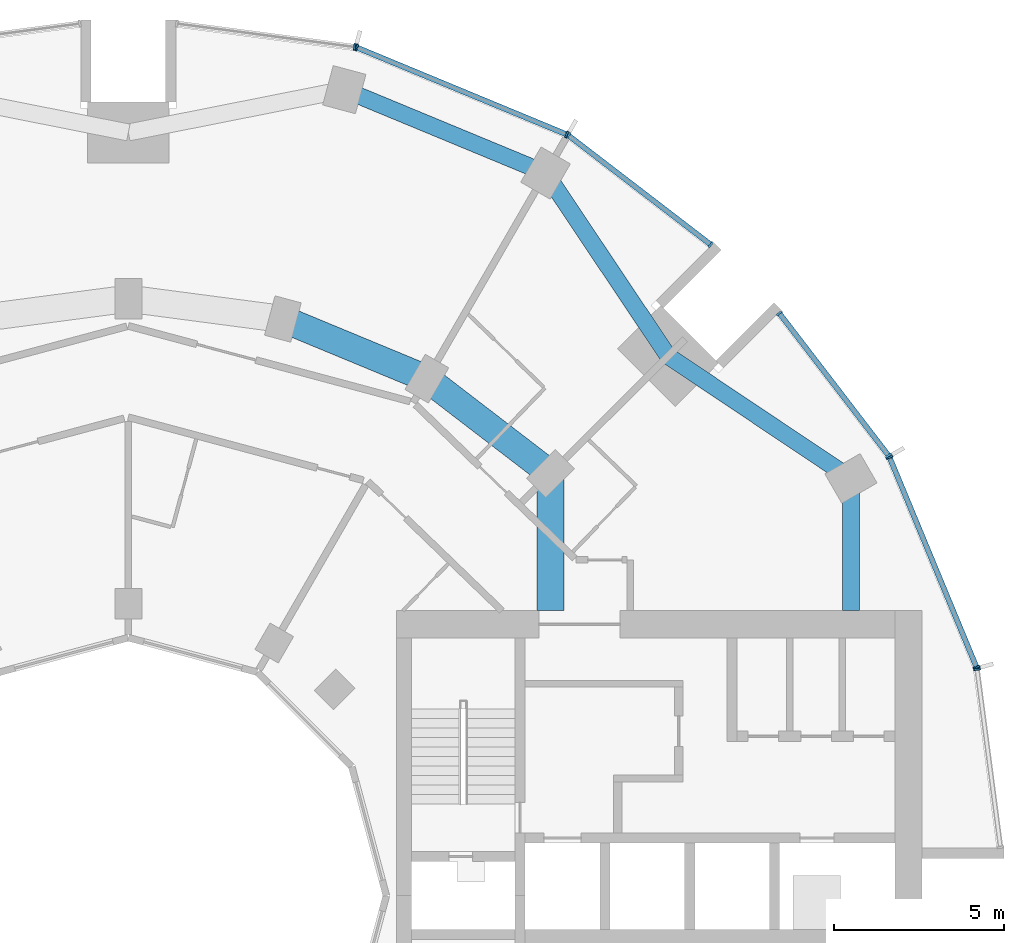
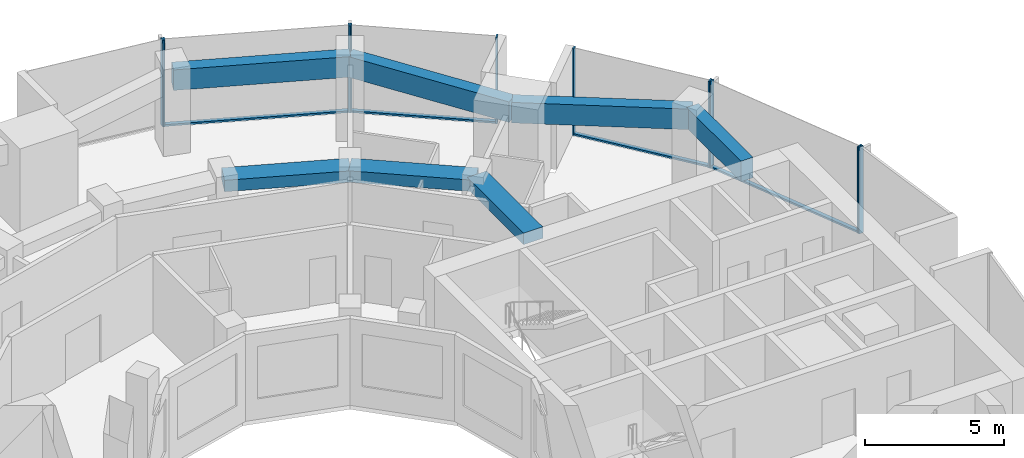
# One storey, part 6 of 15: 14 members, 7 beams, 6 elements without a shape of their own.
"""IFC4 building model written with IfcOpenShell, lengths in metres."""

from ifc_helpers import new_model, si_unit, direction, frame, origin, origin_2d, place, context, subcontext, project, spatial, rectangle, extrude, material, layer, layer_set, material_profile, profile_set, type_object, element, aggregate, save


model = new_model("IFC4")

# Units and contexts
model_context = context("Model", 3, precision=1e-05, world=origin(), true_north=direction((0.0, 1.0)))
body_context = subcontext(model_context, "Body", "Model", "MODEL_VIEW")
ifc_project = project(units=[si_unit("LENGTHUNIT", "METRE"), si_unit("AREAUNIT", "SQUARE_METRE"), si_unit("VOLUMEUNIT", "CUBIC_METRE"), si_unit("PLANEANGLEUNIT", "RADIAN"), si_unit("MASSUNIT", "GRAM", prefix="KILO")], contexts=[model_context])

# Site, building, storey
site_placement = place(None, origin())
site = spatial("IfcSite", under=ifc_project, at=site_placement, CompositionType="ELEMENT")
building_placement = place(site_placement, origin())
building = spatial("IfcBuilding", under=site, at=building_placement, Name="Torre Brocal", CompositionType="ELEMENT")
storey_placement = place(building_placement, frame((0.0, 0.0, 97.60009765625)))
storey = spatial("IfcBuildingStorey", under=building, at=storey_placement, Name="L22", CompositionType="ELEMENT", Elevation=97.60009765625)

# Curtain wall, members
ifc_material_1 = material(Name="Aluminium and glass", Category="aluminium")
ifc_layer_1 = layer(ifc_material_1, 0.199951171875)
ifc_layer_set_1 = layer_set([ifc_layer_1], Name="Aluminium and glass")
curtain_wall_type_1 = type_object("IfcCurtainWallType", Name="CW-1 CURTAIN WALL 3800 HIGH", PredefinedType="NOTDEFINED", material=ifc_layer_set_1)
curtain_wall_1_placement = place(storey_placement, origin())
curtain_wall_1 = element("IfcCurtainWall", 1, at=curtain_wall_1_placement, inside=storey, type_object=curtain_wall_type_1, Name="CW-1 RUN 2", PredefinedType="NOTDEFINED")
ifc_material_2 = material(Name="Aluminium, dark anodised", Category="aluminium")
ifc_material_profile_1 = material_profile(ifc_material_2, rectangle(XDim=0.199951171875, YDim=0.06005859375, at=origin_2d()), Name="CW-1 MULLION 60X200")
ifc_profile_set_1 = profile_set([ifc_material_profile_1], Name="Aluminium, dark anodised")
member_type_1 = type_object("IfcMemberType", Name="CW-1 MULLION 60X200", PredefinedType="MULLION", material=ifc_profile_set_1)
member_1_placement = place(storey_placement, frame((105.005126953125, 81.73095703125, 0.0), z_axis=(0.0, 0.0, 1.0), x_axis=(-0.923879532525, -0.382683432333, 0.0)))
member_1 = element("IfcMember", 2, at=member_1_placement, type_object=member_type_1, Name="CW1-1 mullion 1", PredefinedType="MULLION", context=body_context, shape_type="SweptSolid", body=[
    extrude(rectangle(XDim=0.199951171875, YDim=0.06005859375, at=origin_2d()), origin(), (0.0, 0.0, 1.0), 3.7998046875),
])
member_2_placement = place(storey_placement, frame((102.440673828125, 87.921875, 0.0), z_axis=(0.0, 0.0, 1.0), x_axis=(-0.923879532525, -0.382683432333, 0.0)))
member_2 = element("IfcMember", 3, at=member_2_placement, type_object=member_type_1, Name="CW1-1 mullion 2", PredefinedType="MULLION", context=body_context, shape_type="SweptSolid", body=[
    extrude(rectangle(XDim=0.199951171875, YDim=0.06005859375, at=origin_2d()), origin(), (0.0, 0.0, 1.0), 3.7998046875),
])

curtain_wall_2_placement = place(storey_placement, origin())
curtain_wall_2 = element("IfcCurtainWall", 4, at=curtain_wall_2_placement, inside=storey, type_object=curtain_wall_type_1, Name="CW-1 RUN 3", PredefinedType="NOTDEFINED")
member_3_placement = place(storey_placement, frame((102.4111328125, 87.973388671875, 0.0), z_axis=(0.0, 0.0, 1.0), x_axis=(-0.793353340259, -0.60876142905, 0.0)))
member_3 = element("IfcMember", 5, at=member_3_placement, type_object=member_type_1, Name="CW1-1 mullion 1", PredefinedType="MULLION", context=body_context, shape_type="SweptSolid", body=[
    extrude(rectangle(XDim=0.199951171875, YDim=0.06005859375, at=origin_2d()), origin(), (0.0, 0.0, 1.0), 3.7998046875),
])
member_4_placement = place(storey_placement, frame((99.19140625, 92.16943359375, 0.0), z_axis=(0.0, 0.0, 1.0), x_axis=(-0.793353340259, -0.60876142905, 0.0)))
member_4 = element("IfcMember", 6, at=member_4_placement, type_object=member_type_1, Name="CW1-1 mullion 2", PredefinedType="MULLION", context=body_context, shape_type="SweptSolid", body=[
    extrude(rectangle(XDim=0.199951171875, YDim=0.06005859375, at=origin_2d()), origin(), (0.0, 0.0, 1.0), 3.7998046875),
])

curtain_wall_3_placement = place(storey_placement, origin())
curtain_wall_3 = element("IfcCurtainWall", 7, at=curtain_wall_3_placement, inside=storey, type_object=curtain_wall_type_1, Name="CW-1 RUN 4", PredefinedType="NOTDEFINED")
member_5_placement = place(storey_placement, frame((97.16943359375, 94.19140625, 0.0), z_axis=(0.0, 0.0, 1.0), x_axis=(-0.60876142905, -0.793353340259, 0.0)))
member_5 = element("IfcMember", 8, at=member_5_placement, type_object=member_type_1, Name="CW1-1 mullion 1", PredefinedType="MULLION", context=body_context, shape_type="SweptSolid", body=[
    extrude(rectangle(XDim=0.199951171875, YDim=0.06005859375, at=origin_2d()), origin(), (0.0, 0.0, 1.0), 3.7998046875),
])
member_6_placement = place(storey_placement, frame((92.973388671875, 97.4111328125, 0.0), z_axis=(0.0, 0.0, 1.0), x_axis=(-0.60876142905, -0.793353340259, 0.0)))
member_6 = element("IfcMember", 9, at=member_6_placement, type_object=member_type_1, Name="CW1-1 mullion 2", PredefinedType="MULLION", context=body_context, shape_type="SweptSolid", body=[
    extrude(rectangle(XDim=0.199951171875, YDim=0.06005859375, at=origin_2d()), origin(), (0.0, 0.0, 1.0), 3.7998046875),
])

curtain_wall_4_placement = place(storey_placement, origin())
curtain_wall_4 = element("IfcCurtainWall", 10, at=curtain_wall_4_placement, inside=storey, type_object=curtain_wall_type_1, Name="CW-1 RUN 5", PredefinedType="NOTDEFINED")
member_7_placement = place(storey_placement, frame((92.921875, 97.440673828125, 0.0), z_axis=(0.0, 0.0, 1.0), x_axis=(-0.382683432333, -0.923879532525, 0.0)))
member_7 = element("IfcMember", 11, at=member_7_placement, type_object=member_type_1, Name="CW1-1 mullion 1", PredefinedType="MULLION", context=body_context, shape_type="SweptSolid", body=[
    extrude(rectangle(XDim=0.199951171875, YDim=0.06005859375, at=origin_2d()), origin(), (0.0, 0.0, 1.0), 3.7998046875),
])
member_8_placement = place(storey_placement, frame((86.73095703125, 100.005126953125, 0.0), z_axis=(0.0, 0.0, 1.0), x_axis=(-0.382683432333, -0.923879532525, 0.0)))
member_8 = element("IfcMember", 12, at=member_8_placement, type_object=member_type_1, Name="CW1-1 mullion 2", PredefinedType="MULLION", context=body_context, shape_type="SweptSolid", body=[
    extrude(rectangle(XDim=0.199951171875, YDim=0.06005859375, at=origin_2d()), origin(), (0.0, 0.0, 1.0), 3.7998046875),
])

# Curtain wall, member
curtain_wall_5_placement = place(storey_placement, origin())
curtain_wall_5 = element("IfcCurtainWall", 13, at=curtain_wall_5_placement, inside=storey, type_object=curtain_wall_type_1, Name="CW-1 RUN 6", PredefinedType="NOTDEFINED")
member_9_placement = place(storey_placement, frame((86.67333984375, 100.0205078125, 0.0), z_axis=(0.0, 0.0, 1.0), x_axis=(-0.13052619222, -0.991444861374, 0.0)))
member_9 = element("IfcMember", 14, at=member_9_placement, type_object=member_type_1, Name="CW1-1 mullion 1", PredefinedType="MULLION", context=body_context, shape_type="SweptSolid", body=[
    extrude(rectangle(XDim=0.199951171875, YDim=0.06005859375, at=origin_2d()), origin(), (0.0, 0.0, 1.0), 3.7998046875),
])
aggregate(curtain_wall_5, [member_9])

# Member
ifc_material_3 = material(Name="Aluminium, dark anodised", Category="aluminium")
ifc_material_profile_2 = material_profile(ifc_material_3, rectangle(XDim=0.159912109375, YDim=0.080078125, at=origin_2d()), Name="CW-1 TRANSOM 160X80")
ifc_profile_set_2 = profile_set([ifc_material_profile_2], Name="Aluminium, dark anodised")
member_type_2 = type_object("IfcMemberType", Name="CW-1 TRANSOM 160X80", PredefinedType="USERDEFINED", material=ifc_profile_set_2)
member_10_placement = place(storey_placement, frame((104.99365234375, 81.758544921875, 0.039794921875), z_axis=(-0.38266457234, 0.923887344364, 0.0), x_axis=(-0.923887344364, -0.38266457234, 0.0)))
member_10 = element("IfcMember", 15, at=member_10_placement, type_object=member_type_2, Name="CW1-1 transom 1.1", ObjectType="TRANSOM", PredefinedType="USERDEFINED", context=body_context, shape_type="SweptSolid", body=[
    extrude(rectangle(XDim=0.159912109375, YDim=0.080078125, at=origin_2d()), origin(), (0.0, 0.0, 1.0), 6.640869140625),
])

aggregate(curtain_wall_1, [member_1, member_2, member_10])

member_11_placement = place(storey_placement, frame((102.392822265625, 87.9970703125, 0.039794921875), z_axis=(-0.60874908096, 0.79336281513, 0.0), x_axis=(-0.79336281513, -0.60874908096, 0.0)))
member_11 = element("IfcMember", 16, at=member_11_placement, type_object=member_type_2, Name="CW1-1 transom 1.1", ObjectType="TRANSOM", PredefinedType="USERDEFINED", context=body_context, shape_type="SweptSolid", body=[
    extrude(rectangle(XDim=0.159912109375, YDim=0.080078125, at=origin_2d()), origin(), (0.0, 0.0, 1.0), 5.22900390625),
])

aggregate(curtain_wall_2, [member_3, member_4, member_11])

member_12_placement = place(storey_placement, frame((97.1455078125, 94.209716796875, 0.039794921875), z_axis=(-0.79336281513, 0.60874908096, 0.0), x_axis=(-0.60874908096, -0.79336281513, 0.0)))
member_12 = element("IfcMember", 17, at=member_12_placement, type_object=member_type_2, Name="CW1-1 transom 1.1", ObjectType="TRANSOM", PredefinedType="USERDEFINED", context=body_context, shape_type="SweptSolid", body=[
    extrude(rectangle(XDim=0.159912109375, YDim=0.080078125, at=origin_2d()), origin(), (0.0, 0.0, 1.0), 5.22900390625),
])

aggregate(curtain_wall_3, [member_5, member_6, member_12])

member_13_placement = place(storey_placement, frame((92.89404296875, 97.452392578125, 0.039794921875), z_axis=(-0.923887344364, 0.38266457234, 0.0), x_axis=(-0.38266457234, -0.923887344364, 0.0)))
member_13 = element("IfcMember", 18, at=member_13_placement, type_object=member_type_2, Name="CW1-1 transom 1.1", ObjectType="TRANSOM", PredefinedType="USERDEFINED", context=body_context, shape_type="SweptSolid", body=[
    extrude(rectangle(XDim=0.159912109375, YDim=0.080078125, at=origin_2d()), origin(), (0.0, 0.0, 1.0), 6.640869140625),
])

aggregate(curtain_wall_4, [member_7, member_8, member_13])

# Curtain wall, member
ifc_material_4 = material(Name="Aluminium and glass", Category="aluminium")
ifc_layer_2 = layer(ifc_material_4, 0.199951171875)
ifc_layer_set_2 = layer_set([ifc_layer_2], Name="Aluminium and glass")
curtain_wall_type_2 = type_object("IfcCurtainWallType", Name="CW-1B CURTAIN WALL 3800 HIGH", PredefinedType="NOTDEFINED", material=ifc_layer_set_2)
curtain_wall_6_placement = place(storey_placement, origin())
curtain_wall_6 = element("IfcCurtainWall", 19, at=curtain_wall_6_placement, inside=storey, type_object=curtain_wall_type_2, Name="CW-1B RUN 1", PredefinedType="NOTDEFINED")
ifc_material_5 = material(Name="Aluminium, dark anodised", Category="aluminium")
ifc_material_profile_3 = material_profile(ifc_material_5, rectangle(XDim=0.199951171875, YDim=0.06005859375, at=origin_2d()), Name="CW-1B MULLION 60X200")
ifc_profile_set_3 = profile_set([ifc_material_profile_3], Name="Aluminium, dark anodised")
member_type_3 = type_object("IfcMemberType", Name="CW-1B MULLION 60X200", PredefinedType="MULLION", material=ifc_profile_set_3)
member_14_placement = place(storey_placement, frame((105.0205078125, 81.67333984375, 0.0), z_axis=(0.0, 0.0, 1.0), x_axis=(-0.991444861374, -0.13052619222, 0.0)))
member_14 = element("IfcMember", 20, at=member_14_placement, type_object=member_type_3, Name="CW1B-1 mullion 2", PredefinedType="MULLION", context=body_context, shape_type="SweptSolid", body=[
    extrude(rectangle(XDim=0.199951171875, YDim=0.06005859375, at=origin_2d()), origin(), (0.0, 0.0, 1.0), 3.7998046875),
])
aggregate(curtain_wall_6, [member_14])

# Beams
ifc_material_6 = material(Name="Concrete C50", Category="concrete")
ifc_material_profile_4 = material_profile(ifc_material_6, rectangle(XDim=0.800048828125, YDim=0.5, at=origin_2d()), Name="RC 800X500")
ifc_profile_set_4 = profile_set([ifc_material_profile_4], Name="Concrete C50")
beam_type_1 = type_object("IfcBeamType", Name="RC BEAM 800X500 C50 TOP 3480", PredefinedType="BEAM", material=ifc_profile_set_4)
beam_1_placement = place(storey_placement, frame((92.445068359375, 87.445068359375, 3.22998046875), z_axis=(-0.793358265959, 0.6087550097, 0.0), x_axis=(-0.6087550097, -0.793358265959, 0.0)))
element("IfcBeam", 21, at=beam_1_placement, inside=storey, type_object=beam_type_1, Name="Beam BT-19", PredefinedType="BEAM", context=body_context, shape_type="SweptSolid", body=[
    extrude(rectangle(XDim=0.800048828125, YDim=0.5, at=origin_2d()), origin(), (0.0, 0.0, 1.0), 4.594482421875),
])
beam_2_placement = place(storey_placement, frame((88.800048828125, 90.241943359375, 3.22998046875), z_axis=(-0.923878240166, 0.382686552348, 0.0), x_axis=(-0.382686552348, -0.923878240166, 0.0)))
element("IfcBeam", 22, at=beam_2_placement, inside=storey, type_object=beam_type_1, Name="Beam BT-19", PredefinedType="BEAM", context=body_context, shape_type="SweptSolid", body=[
    extrude(rectangle(XDim=0.800048828125, YDim=0.5, at=origin_2d()), origin(), (0.0, 0.0, 1.0), 4.5947265625),
])
beam_3_placement = place(storey_placement, frame((92.445068359375, 87.445068359375, 3.22998046875), z_axis=(0.0, -1.0, 0.0), x_axis=(1.0, 0.0, 0.0)))
element("IfcBeam", 23, at=beam_3_placement, inside=storey, type_object=beam_type_1, Name="Beam BT-19", PredefinedType="BEAM", context=body_context, shape_type="SweptSolid", body=[
    extrude(rectangle(XDim=0.800048828125, YDim=0.5, at=origin_2d()), origin(), (0.0, 0.0, 1.0), 4.045166015625),
])
ifc_material_7 = material(Name="Concrete C50", Category="concrete")
ifc_material_profile_5 = material_profile(ifc_material_7, rectangle(XDim=0.5, YDim=0.89990234375, at=origin_2d()), Name="RC 500X900")
ifc_profile_set_5 = profile_set([ifc_material_profile_5], Name="Concrete C50")
beam_type_2 = type_object("IfcBeamType", Name="RC SPANDREL BEAM 500X900 C50 TOP 3480", PredefinedType="SPANDREL", material=ifc_profile_set_5)
for number, where, z_axis, x_axis, name in (
    (24, (101.30419921875, 87.300048828125, 3.02978515625), (-0.831076844476, 0.556157602282, 0.0), (-0.556157602282, -0.831076844476, 0.0), "Beam BT-20"),
    (25, (95.909912109375, 90.909912109375, 3.02978515625), (-0.556157602282, 0.831076844476, 0.0), (-0.831076844476, -0.556157602282, 0.0), "Beam BT-20"),
):
    element("IfcBeam", number, at=place(storey_placement, frame(where, z_axis=z_axis, x_axis=x_axis)), inside=storey, type_object=beam_type_2, Name=name, PredefinedType="SPANDREL", context=body_context, shape_type="SweptSolid", body=[
        extrude(rectangle(XDim=0.5, YDim=0.89990234375, at=origin_2d()), origin(), (0.0, 0.0, 1.0), 6.49072265625),
    ])
beam_4_placement = place(storey_placement, frame((92.300048828125, 96.30419921875, 3.02978515625), z_axis=(-0.923882462513, 0.382676358639, 0.0), x_axis=(-0.382676358639, -0.923882462513, 0.0)))
element("IfcBeam", 26, at=beam_4_placement, inside=storey, type_object=beam_type_2, Name="Beam BT-20", PredefinedType="SPANDREL", context=body_context, shape_type="SweptSolid", body=[
    extrude(rectangle(XDim=0.5, YDim=0.89990234375, at=origin_2d()), origin(), (0.0, 0.0, 1.0), 6.421875),
])
beam_5_placement = place(storey_placement, frame((101.30419921875, 87.300048828125, 3.02978515625), z_axis=(0.0, -1.0, 0.0), x_axis=(1.0, 0.0, 0.0)))
element("IfcBeam", 27, at=beam_5_placement, inside=storey, type_object=beam_type_2, Name="Beam BT-20", PredefinedType="SPANDREL", context=body_context, shape_type="SweptSolid", body=[
    extrude(rectangle(XDim=0.5, YDim=0.89990234375, at=origin_2d()), origin(), (0.0, 0.0, 1.0), 3.900146484375),
])

save(model, "model.ifc")
